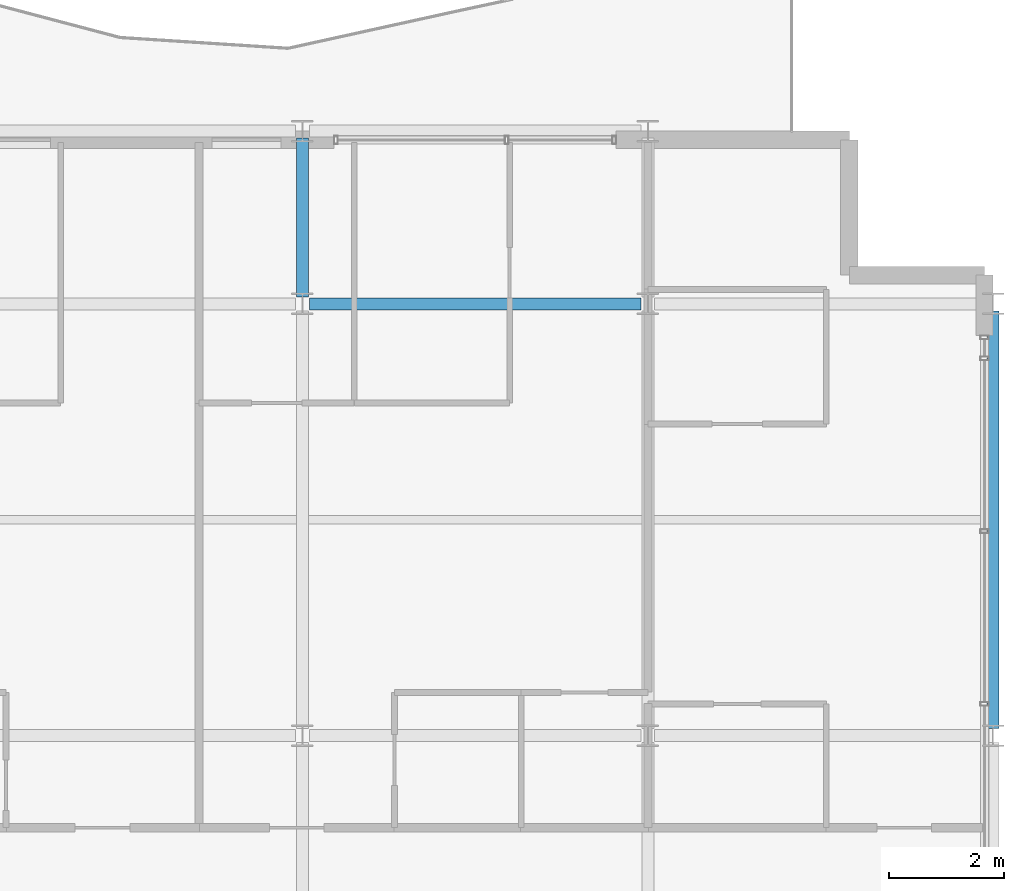
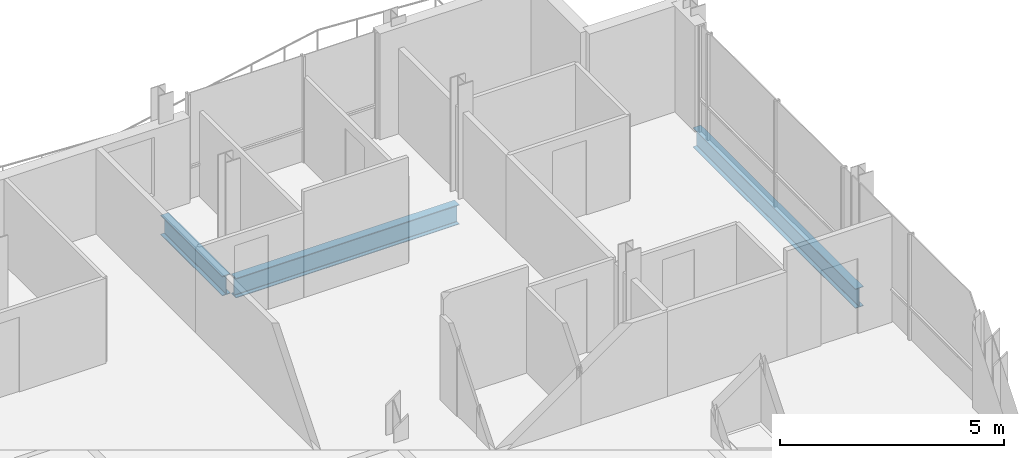
# One storey, part 14 of 29: 3 beams.
"""IFC4 building model written with IfcOpenShell, lengths in metres."""

import ifcopenshell
import ifcopenshell.guid

model = None  # the IFC model being written
_history = None  # IfcOwnerHistory: only IFC2X3 demands one
_inside = {}  # id of a spatial element -> (the spatial element, [elements in it])
_under = {}  # id of a project, library or spatial element -> (it, [spatial elements below it])
_declared = {}  # id of a project -> (the project, [libraries it declares])
_typed = {}  # id of a type object -> (the type object, [elements of that type])
_made_of = {}  # id of a material, layer set ... -> (it, [elements and type objects made of it])


def new_model(schema):
    """Start an empty IFC model of exactly this schema.

    Asked for "IFC4X3", IfcOpenShell would pick the latest addendum, in which some entities
    have other attributes; the version numbers below select the first issue.
    IFC2X3 requires an IfcOwnerHistory on every rooted entity: one is made here for all.
    """
    global model, _history
    if schema == "IFC4X3":
        model = ifcopenshell.file(schema_version=(4, 3, 0, 0))
    else:
        model = ifcopenshell.file(schema=schema)
    _inside.clear()
    _under.clear()
    _declared.clear()
    _typed.clear()
    _made_of.clear()
    _history = None
    if model.schema == "IFC2X3":
        org = make("IfcOrganization", Name="unknown")
        user = make(
            "IfcPersonAndOrganization",
            ThePerson=make("IfcPerson", FamilyName="unknown"),
            TheOrganization=org,
        )
        app = make(
            "IfcApplication",
            ApplicationDeveloper=org,
            Version="unknown",
            ApplicationFullName="unknown",
            ApplicationIdentifier="unknown",
        )
        _history = make(
            "IfcOwnerHistory",
            OwningUser=user,
            OwningApplication=app,
            ChangeAction="ADDED",
            CreationDate=0,
        )
    return model


def make(cls, **values):
    """One entity of the class cls with the attributes given. An attribute that is None is left unset."""
    return model.create_entity(
        cls, **{name: value for name, value in values.items() if value is not None}
    )


def rooted(cls, **values):
    """An entity with a GlobalId (a new one), such as an element, a storey or a relation."""
    return make(cls, GlobalId=ifcopenshell.guid.new(), OwnerHistory=_history, **values)


def si_unit(unit_type, name, prefix=None):
    """IfcSIUnit, for example si_unit("LENGTHUNIT", "METRE", prefix="MILLI")."""
    return make("IfcSIUnit", UnitType=unit_type, Prefix=prefix, Name=name)


def assignment(units):
    """IfcUnitAssignment: the units of a project."""
    return None if units is None else make("IfcUnitAssignment", Units=units)


def point(xyz):
    """IfcCartesianPoint."""
    return None if xyz is None else make("IfcCartesianPoint", Coordinates=xyz)


def direction(xyz):
    """IfcDirection."""
    return None if xyz is None else make("IfcDirection", DirectionRatios=xyz)


def frame(location, z_axis=None, x_axis=None):
    """IfcAxis2Placement3D, a coordinate frame: its origin and axes. An axis left out is left unset."""
    return make(
        "IfcAxis2Placement3D",
        Location=point(location),
        Axis=direction(z_axis),
        RefDirection=direction(x_axis),
    )


def frame_2d(location, x_axis=None):
    """IfcAxis2Placement2D, a coordinate frame in the plane: its origin and x axis."""
    return make(
        "IfcAxis2Placement2D", Location=point(location), RefDirection=direction(x_axis)
    )


def origin():
    """The frame at (0, 0, 0) with its axes left unset."""
    return frame((0.0, 0.0, 0.0))


def origin_2d():
    """The frame at (0, 0) in the plane with its x axis left unset."""
    return frame_2d((0.0, 0.0))


def place(relative_to, where):
    """IfcLocalPlacement: puts the frame where relative to a parent placement (None: the world)."""
    return make(
        "IfcLocalPlacement", PlacementRelTo=relative_to, RelativePlacement=where
    )


def context(
    kind, dimensions, precision=None, world=None, true_north=None, identifier=None
):
    """IfcGeometricRepresentationContext, for example the 3D "Model" context."""
    return make(
        "IfcGeometricRepresentationContext",
        ContextIdentifier=identifier,
        ContextType=kind,
        CoordinateSpaceDimension=dimensions,
        Precision=precision,
        WorldCoordinateSystem=world,
        TrueNorth=true_north,
    )


def subcontext(parent, identifier, kind, view, scale=None):
    """IfcGeometricRepresentationSubContext, for example "Body" below "Model"."""
    return make(
        "IfcGeometricRepresentationSubContext",
        ContextIdentifier=identifier,
        ContextType=kind,
        ParentContext=parent,
        TargetScale=scale,
        TargetView=view,
    )


def project(units=None, contexts=None):
    """IfcProject with its units and contexts."""
    return rooted(
        "IfcProject",
        Name="project",
        RepresentationContexts=contexts,
        UnitsInContext=assignment(units),
    )


def spatial(cls, under=None, at=None, **own):
    """A site, building, storey or space (cls), placed at a placement, below another one or the project."""
    s = rooted(cls, ObjectPlacement=at, **own)
    if under is not None:
        _under.setdefault(under.id(), (under, []))[1].append(s)
    return s


def profile(cls, at=None, kind="AREA", **sizes):
    """A parametric profile (cls). Its sizes go by their IFC names, for example OverallWidth=200.0."""
    return make(cls, ProfileType=kind, Position=at, **sizes)


def i_section(**sizes):
    """IfcIShapeProfileDef."""
    return profile("IfcIShapeProfileDef", **sizes)


def extrude(swept, where, along, depth):
    """IfcExtrudedAreaSolid: the profile swept, set in the frame where, extruded along a direction by depth."""
    return make(
        "IfcExtrudedAreaSolid",
        SweptArea=swept,
        Position=where,
        ExtrudedDirection=direction(along),
        Depth=depth,
    )


def shape(context_of_items, identifier, shape_type, items):
    """IfcShapeRepresentation: the items that make up one representation, for example the "Body"."""
    return make(
        "IfcShapeRepresentation",
        ContextOfItems=context_of_items,
        RepresentationIdentifier=identifier,
        RepresentationType=shape_type,
        Items=items,
    )


def material(Name=None, Category=None):
    """IfcMaterial."""
    return make("IfcMaterial", Name=Name, Category=Category)


def material_profile(
    of_material, cross_section, Name=None, Category=None, Priority=None
):
    """IfcMaterialProfile: a cross section and its material."""
    return make(
        "IfcMaterialProfile",
        Name=Name,
        Material=of_material,
        Profile=cross_section,
        Priority=Priority,
        Category=Category,
    )


def profile_set(profiles, Name=None, composite=None):
    """IfcMaterialProfileSet."""
    return make(
        "IfcMaterialProfileSet",
        Name=Name,
        MaterialProfiles=profiles,
        CompositeProfile=composite,
    )


def made_of(thing, what):
    """Note that an element or type object is made of a material, layer set ...; save() writes the relation."""
    if what is not None:
        _made_of.setdefault(what.id(), (what, []))[1].append(thing)
    return thing


def type_object(cls, material=None, **own):
    """A type object (cls), such as IfcWallType, which elements share."""
    return made_of(rooted(cls, **own), material)


def element(
    cls,
    number,
    at=None,
    inside=None,
    cuts=None,
    type_object=None,
    material=None,
    context=None,
    identifier="Body",
    shape_type=None,
    held_by="IfcProductDefinitionShape",
    body=None,
    shapes=None,
    **own,
):
    """One element of the class cls, such as IfcWall. Its Tag is "e" and its number.

    at: its placement. inside: the storey or other place that contains it. cuts: it is an
    opening in that element (IfcRelVoidsElement). A single representation is given by context,
    identifier, shape_type and body (its items); several are given by shapes. held_by: the class
    of the entity that holds the representations. save() writes the other relations.
    """
    e = rooted(cls, Tag="e%d" % number, ObjectPlacement=at, **own)
    if body is not None:
        shapes = [shape(context, identifier, shape_type, body)]
    if shapes is not None:
        e.Representation = make(held_by, Representations=shapes)
    if inside is not None:
        _inside.setdefault(inside.id(), (inside, []))[1].append(e)
    if cuts is not None:
        rooted(
            "IfcRelVoidsElement", RelatingBuildingElement=cuts, RelatedOpeningElement=e
        )
    if type_object is not None:
        _typed.setdefault(type_object.id(), (type_object, []))[1].append(e)
    return made_of(e, material)


def aggregate(whole, parts):
    """IfcRelAggregates: a whole, such as a stair, and the parts it consists of."""
    return rooted("IfcRelAggregates", RelatingObject=whole, RelatedObjects=parts)


def save(model, path):
    """Write the relations noted so far, then the file.

    IfcRelAggregates (storeys below a building ...), IfcRelContainedInSpatialStructure (elements
    in a storey), IfcRelDefinesByType, IfcRelAssociatesMaterial and IfcRelDeclares: one each for
    every whole, place, type object, material and project.
    """
    for whole, parts in _under.values():
        aggregate(whole, parts)
    for where, things in _inside.values():
        rooted(
            "IfcRelContainedInSpatialStructure",
            RelatedElements=things,
            RelatingStructure=where,
        )
    for kind, things in _typed.values():
        rooted("IfcRelDefinesByType", RelatedObjects=things, RelatingType=kind)
    for what, things in _made_of.values():
        rooted("IfcRelAssociatesMaterial", RelatedObjects=things, RelatingMaterial=what)
    for by, libraries in _declared.values():
        rooted("IfcRelDeclares", RelatingContext=by, RelatedDefinitions=libraries)
    model.write(path)


model = new_model("IFC4")

# Units and contexts
model_context = context("Model", 3, precision=1e-05, world=origin(), true_north=direction((0.0, 1.0)))
body_context = subcontext(model_context, "Body", "Model", "MODEL_VIEW")
ifc_project = project(units=[si_unit("LENGTHUNIT", "METRE"), si_unit("AREAUNIT", "SQUARE_METRE"), si_unit("VOLUMEUNIT", "CUBIC_METRE"), si_unit("PLANEANGLEUNIT", "RADIAN"), si_unit("MASSUNIT", "GRAM", prefix="KILO")], contexts=[model_context])

# Site, building, storey
site_placement = place(None, origin())
site = spatial("IfcSite", under=ifc_project, at=site_placement, CompositionType="ELEMENT")
building_placement = place(site_placement, origin())
building = spatial("IfcBuilding", under=site, at=building_placement, Name="Brevholm Reach", CompositionType="ELEMENT")
storey_placement = place(building_placement, frame((0.0, 0.0, 201.800048828125)))
storey = spatial("IfcBuildingStorey", under=building, at=storey_placement, Name="L61", CompositionType="ELEMENT", Elevation=201.800048828125)

# Beams
ifc_material_1 = material(Name="Structural Steel S355J2", Category="steel")
ifc_material_profile_1 = material_profile(ifc_material_1, i_section(OverallWidth=0.209228515625, OverallDepth=0.533203125, WebThickness=0.010009765625, FlangeThickness=0.015625, FilletRadius=0.0126953125, at=origin_2d()), Name="UKB 533x210x92")
ifc_profile_set_1 = profile_set([ifc_material_profile_1], Name="Structural Steel S355J2")
beam_type_1 = type_object("IfcBeamType", Name="BM-SP533", PredefinedType="SPANDREL", material=ifc_profile_set_1)
beam_1_placement = place(storey_placement, frame((60.0, 16.1201171875, -0.4765625), z_axis=(0.0, 1.0, 0.0), x_axis=(-1.0, 0.0, 0.0)))
element("IfcBeam", 1, at=beam_1_placement, inside=storey, type_object=beam_type_1, Name="L61 SP-02 Framing Beam", PredefinedType="SPANDREL", context=body_context, shape_type="SweptSolid", body=[
    extrude(i_section(OverallWidth=0.209228515625, OverallDepth=0.533203125, WebThickness=0.010009765625, FlangeThickness=0.015625, FilletRadius=0.0126953125, at=origin_2d()), origin(), (0.0, 0.0, 1.0), 7.259765625),
])
ifc_material_2 = material(Name="Structural Steel S355J2", Category="steel")
ifc_material_profile_2 = material_profile(ifc_material_2, i_section(OverallWidth=0.210693359375, OverallDepth=0.53955078125, WebThickness=0.01171875, FlangeThickness=0.018798828125, FilletRadius=0.0126953125, at=origin_2d()), Name="UKB 533x210x109")
ifc_profile_set_2 = profile_set([ifc_material_profile_2], Name="Structural Steel S355J2")
beam_type_2 = type_object("IfcBeamType", Name="BM-SP539", PredefinedType="SPANDREL", material=ifc_profile_set_2)
beam_2_placement = place(storey_placement, frame((48.1201171875, 23.5, -0.479736328125), z_axis=(1.0, 0.0, 0.0), x_axis=(0.0, 1.0, 0.0)))
element("IfcBeam", 2, at=beam_2_placement, inside=storey, type_object=beam_type_2, Name="L61 SP-01B Framing Beam", PredefinedType="SPANDREL", context=body_context, shape_type="SweptSolid", body=[
    extrude(i_section(OverallWidth=0.210693359375, OverallDepth=0.53955078125, WebThickness=0.01171875, FlangeThickness=0.018798828125, FilletRadius=0.0126953125, at=origin_2d()), origin(), (0.0, 0.0, 1.0), 5.759765625),
])
beam_3_placement = place(storey_placement, frame((48.0, 23.6201171875, -0.479736328125), z_axis=(0.0, 1.0, 0.0), x_axis=(-1.0, 0.0, 0.0)))
element("IfcBeam", 3, at=beam_3_placement, inside=storey, type_object=beam_type_2, Name="L61 SP-01B Framing Beam", PredefinedType="SPANDREL", context=body_context, shape_type="SweptSolid", body=[
    extrude(i_section(OverallWidth=0.210693359375, OverallDepth=0.53955078125, WebThickness=0.01171875, FlangeThickness=0.018798828125, FilletRadius=0.0126953125, at=origin_2d()), origin(), (0.0, 0.0, 1.0), 2.759765625),
])

save(model, "model.ifc")
